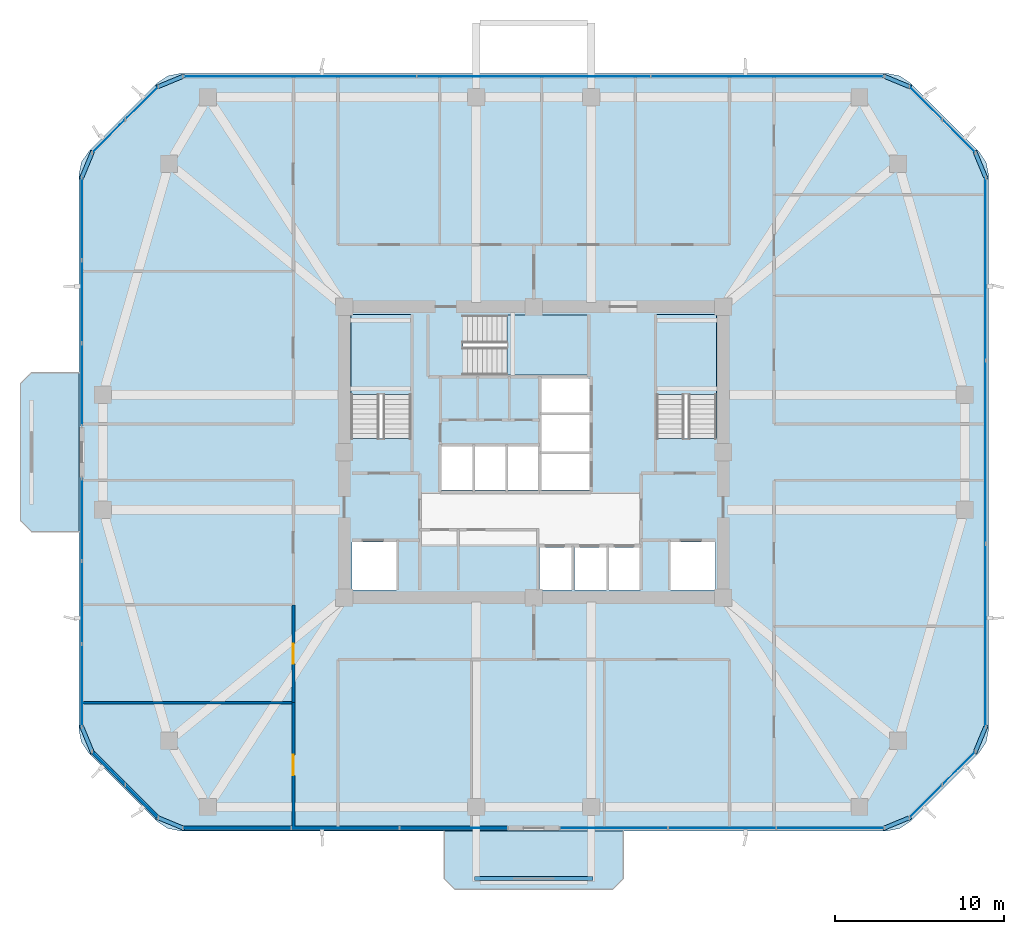
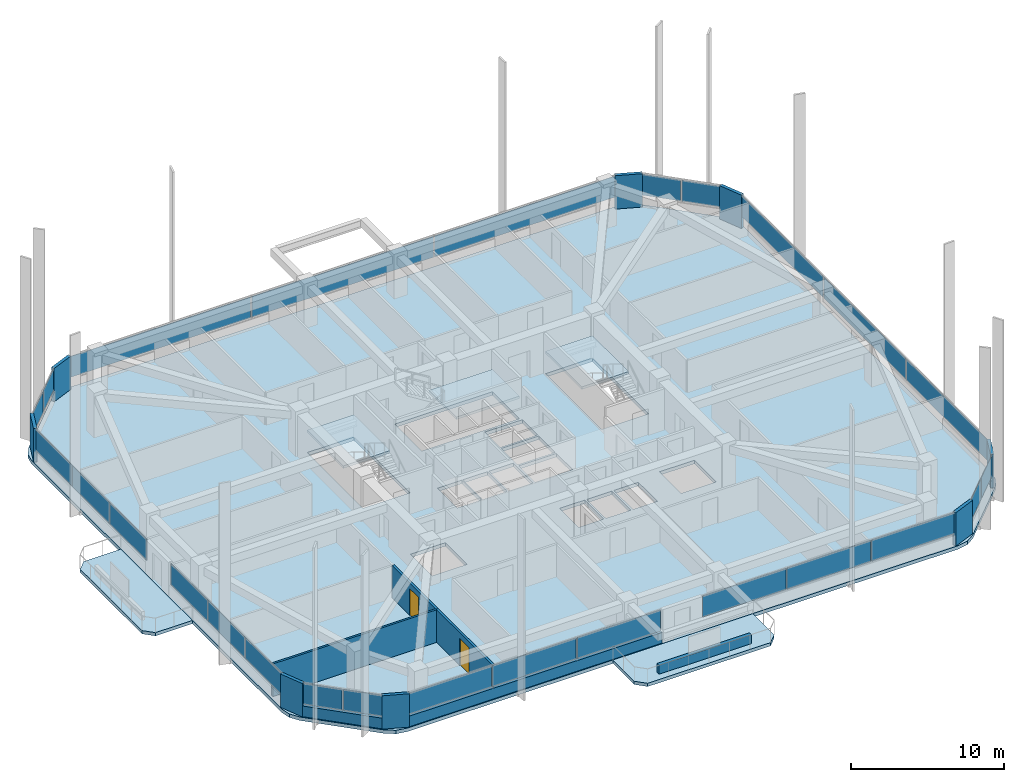
# One storey, part 7 of 15: 34 plates, 6 slabs, 6 walls, 2 doors, 2 openings, 13 elements without a shape of their own.
"""IFC4 building model written with IfcOpenShell, lengths in metres."""

from ifc_helpers import new_model, si_unit, derived_unit, direction, frame, frame_2d, origin, origin_2d, place, context, subcontext, project, spatial, polyline, rectangle, outline, extrude, material, layer, layer_set, type_object, element, fill, aggregate, save


model = new_model("IFC4")

# Units and contexts
model_context = context("Model", 3, precision=1e-05, world=origin(), true_north=direction((0.0, 1.0)))
body_context = subcontext(model_context, "Body", "Model", "MODEL_VIEW")
ifc_project = project(units=[si_unit("LENGTHUNIT", "METRE"), si_unit("AREAUNIT", "SQUARE_METRE"), si_unit("VOLUMEUNIT", "CUBIC_METRE"), si_unit("PLANEANGLEUNIT", "RADIAN"), si_unit("MASSUNIT", "GRAM", prefix="KILO"), derived_unit("THERMALTRANSMITTANCEUNIT", [(si_unit("POWERUNIT", "WATT"), 1), (si_unit("LENGTHUNIT", "METRE"), -2), (si_unit("THERMODYNAMICTEMPERATUREUNIT", "KELVIN"), -1)])], contexts=[model_context])

# Site, building, storey
site_placement = place(None, origin())
site = spatial("IfcSite", under=ifc_project, at=site_placement, CompositionType="ELEMENT")
building_placement = place(site_placement, origin())
building = spatial("IfcBuilding", under=site, at=building_placement, Name="Koralith Skygarden Medical Center", CompositionType="ELEMENT")
storey_placement = place(building_placement, frame((0.0, 0.0, 84.780029296875)))
storey = spatial("IfcBuildingStorey", under=building, at=storey_placement, Name="L21", CompositionType="ELEMENT", Elevation=84.780029296875)

# Curtain wall, plates
ifc_material_1 = material(Name="Clear Laminated Glass", Category="glass")
curtain_wall_type = type_object("IfcCurtainWallType", Name="CW-3 Zone 2 Faceted Solar Curtain Wall", PredefinedType="NOTDEFINED", material=ifc_material_1)
curtain_wall_1_placement = place(storey_placement, origin())
curtain_wall_1 = element("IfcCurtainWall", 1, at=curtain_wall_1_placement, inside=storey, type_object=curtain_wall_type, Name="Curtain Wall CW-L21-S-L", PredefinedType="NOTDEFINED")
ifc_layer_1 = layer(ifc_material_1, 0.033935546875)
ifc_layer_set_1 = layer_set([ifc_layer_1], Name="Clear Laminated Glass")
plate_type_1 = type_object("IfcPlateType", Name="CW-3 Hurricane Laminated IGU Panel 34", PredefinedType="CURTAIN_PANEL", material=ifc_layer_set_1)
plate_1_placement = place(storey_placement, frame((19.4560546875, 3.679931640625, 0.919921875), z_axis=(0.0, 0.0, 1.0), x_axis=(1.0, 0.0, 0.0)))
plate_1 = element("IfcPlate", 2, at=plate_1_placement, type_object=plate_type_1, Name="CW-L21-S-L Glazed Panel 1", PredefinedType="CURTAIN_PANEL", context=body_context, shape_type="SweptSolid", body=[
    extrude(rectangle(XDim=6.31103515625, YDim=0.033935546875, at=origin_2d()), origin(), (0.0, 0.0, 1.0), 1.679931640625),
])
plate_2_placement = place(storey_placement, frame((25.85693359375, 3.679931640625, 0.919921875), z_axis=(0.0, 0.0, 1.0), x_axis=(1.0, 0.0, 0.0)))
plate_2 = element("IfcPlate", 3, at=plate_2_placement, type_object=plate_type_1, Name="CW-L21-S-L Glazed Panel 2", PredefinedType="CURTAIN_PANEL", context=body_context, shape_type="SweptSolid", body=[
    extrude(rectangle(XDim=6.31103515625, YDim=0.033935546875, at=origin_2d()), origin(), (0.0, 0.0, 1.0), 1.679931640625),
])
plate_3_placement = place(storey_placement, frame((32.258056640625, 3.679931640625, 0.919921875), z_axis=(0.0, 0.0, 1.0), x_axis=(1.0, 0.0, 0.0)))
plate_3 = element("IfcPlate", 4, at=plate_3_placement, type_object=plate_type_1, Name="CW-L21-S-L Glazed Panel 3", PredefinedType="CURTAIN_PANEL", context=body_context, shape_type="SweptSolid", body=[
    extrude(rectangle(XDim=6.31103515625, YDim=0.033935546875, at=origin_2d()), origin(), (0.0, 0.0, 1.0), 1.679931640625),
])
aggregate(curtain_wall_1, [plate_1, plate_2, plate_3])

curtain_wall_2_placement = place(storey_placement, origin())
curtain_wall_2 = element("IfcCurtainWall", 5, at=curtain_wall_2_placement, inside=storey, type_object=curtain_wall_type, Name="Curtain Wall CW-L21-S-R", PredefinedType="NOTDEFINED")
plate_4_placement = place(storey_placement, frame((41.739990234375, 3.679931640625, 0.919921875), z_axis=(0.0, 0.0, 1.0), x_axis=(1.0, 0.0, 0.0)))
plate_4 = element("IfcPlate", 6, at=plate_4_placement, type_object=plate_type_1, Name="CW-L21-S-R Glazed Panel 1", PredefinedType="CURTAIN_PANEL", context=body_context, shape_type="SweptSolid", body=[
    extrude(rectangle(XDim=6.31201171875, YDim=0.033935546875, at=origin_2d()), origin(), (0.0, 0.0, 1.0), 1.679931640625),
])
plate_5_placement = place(storey_placement, frame((48.14208984375, 3.679931640625, 0.919921875), z_axis=(0.0, 0.0, 1.0), x_axis=(1.0, 0.0, 0.0)))
plate_5 = element("IfcPlate", 7, at=plate_5_placement, type_object=plate_type_1, Name="CW-L21-S-R Glazed Panel 2", PredefinedType="CURTAIN_PANEL", context=body_context, shape_type="SweptSolid", body=[
    extrude(rectangle(XDim=6.31201171875, YDim=0.033935546875, at=origin_2d()), origin(), (0.0, 0.0, 1.0), 1.679931640625),
])
plate_6_placement = place(storey_placement, frame((54.5439453125, 3.679931640625, 0.919921875), z_axis=(0.0, 0.0, 1.0), x_axis=(1.0, 0.0, 0.0)))
plate_6 = element("IfcPlate", 8, at=plate_6_placement, type_object=plate_type_1, Name="CW-L21-S-R Glazed Panel 3", PredefinedType="CURTAIN_PANEL", context=body_context, shape_type="SweptSolid", body=[
    extrude(rectangle(XDim=6.31201171875, YDim=0.033935546875, at=origin_2d()), origin(), (0.0, 0.0, 1.0), 1.679931640625),
])
aggregate(curtain_wall_2, [plate_4, plate_5, plate_6])

curtain_wall_3_placement = place(storey_placement, origin())
curtain_wall_3 = element("IfcCurtainWall", 9, at=curtain_wall_3_placement, inside=storey, type_object=curtain_wall_type, Name="Curtain Wall CW-L21-SE", PredefinedType="NOTDEFINED")
plate_7_placement = place(storey_placement, frame((60.177001953125, 5.261962890625, 0.919921875), z_axis=(0.0, 0.0, 1.0), x_axis=(0.707106781187, 0.707106781187, 0.0)))
plate_7 = element("IfcPlate", 10, at=plate_7_placement, type_object=plate_type_1, Name="CW-L21-SE Glazed Panel 1", PredefinedType="CURTAIN_PANEL", context=body_context, shape_type="SweptSolid", body=[
    extrude(rectangle(XDim=2.68408203125, YDim=0.033935546875, at=origin_2d()), origin(), (0.0, 0.0, 1.0), 1.679931640625),
])
plate_8_placement = place(storey_placement, frame((62.137939453125, 7.222900390625, 0.919921875), z_axis=(0.0, 0.0, 1.0), x_axis=(0.707106781187, 0.707106781187, 0.0)))
plate_8 = element("IfcPlate", 11, at=plate_8_placement, type_object=plate_type_1, Name="CW-L21-SE Glazed Panel 2", PredefinedType="CURTAIN_PANEL", context=body_context, shape_type="SweptSolid", body=[
    extrude(rectangle(XDim=2.68408203125, YDim=0.033935546875, at=origin_2d()), origin(), (0.0, 0.0, 1.0), 1.679931640625),
])
aggregate(curtain_wall_3, [plate_7, plate_8])

curtain_wall_4_placement = place(storey_placement, origin())
curtain_wall_4 = element("IfcCurtainWall", 12, at=curtain_wall_4_placement, inside=storey, type_object=curtain_wall_type, Name="Curtain Wall CW-L21-E", PredefinedType="NOTDEFINED")
plate_9_placement = place(storey_placement, frame((63.719970703125, 15.070068359375, 0.919921875), z_axis=(0.0, 0.0, 1.0), x_axis=(0.0, 1.0, 0.0)))
plate_9 = element("IfcPlate", 13, at=plate_9_placement, type_object=plate_type_1, Name="CW-L21-E Glazed Panel 1", PredefinedType="CURTAIN_PANEL", context=body_context, shape_type="SweptSolid", body=[
    extrude(rectangle(XDim=10.739990234375, YDim=0.033935546875, at=origin_2d()), origin(), (0.0, 0.0, 1.0), 1.679931640625),
])
plate_10_placement = place(storey_placement, frame((63.719970703125, 25.89990234375, 0.919921875), z_axis=(0.0, 0.0, 1.0), x_axis=(0.0, 1.0, 0.0)))
plate_10 = element("IfcPlate", 14, at=plate_10_placement, type_object=plate_type_1, Name="CW-L21-E Glazed Panel 2", PredefinedType="CURTAIN_PANEL", context=body_context, shape_type="SweptSolid", body=[
    extrude(rectangle(XDim=10.739990234375, YDim=0.033935546875, at=origin_2d()), origin(), (0.0, 0.0, 1.0), 1.679931640625),
])
plate_11_placement = place(storey_placement, frame((63.719970703125, 36.72998046875, 0.919921875), z_axis=(0.0, 0.0, 1.0), x_axis=(0.0, 1.0, 0.0)))
plate_11 = element("IfcPlate", 15, at=plate_11_placement, type_object=plate_type_1, Name="CW-L21-E Glazed Panel 3", PredefinedType="CURTAIN_PANEL", context=body_context, shape_type="SweptSolid", body=[
    extrude(rectangle(XDim=10.739990234375, YDim=0.033935546875, at=origin_2d()), origin(), (0.0, 0.0, 1.0), 1.679931640625),
])
aggregate(curtain_wall_4, [plate_9, plate_10, plate_11])

curtain_wall_5_placement = place(storey_placement, origin())
curtain_wall_5 = element("IfcCurtainWall", 16, at=curtain_wall_5_placement, inside=storey, type_object=curtain_wall_type, Name="Curtain Wall CW-L21-NE", PredefinedType="NOTDEFINED")
plate_12_placement = place(storey_placement, frame((62.137939453125, 44.576904296875, 0.919921875), z_axis=(0.0, 0.0, 1.0), x_axis=(-0.707106781187, 0.707106781187, 0.0)))
plate_12 = element("IfcPlate", 17, at=plate_12_placement, type_object=plate_type_1, Name="CW-L21-NE Glazed Panel 1", PredefinedType="CURTAIN_PANEL", context=body_context, shape_type="SweptSolid", body=[
    extrude(rectangle(XDim=2.68408203125, YDim=0.033935546875, at=origin_2d()), origin(), (0.0, 0.0, 1.0), 1.679931640625),
])
plate_13_placement = place(storey_placement, frame((60.177001953125, 46.5380859375, 0.919921875), z_axis=(0.0, 0.0, 1.0), x_axis=(-0.707106781187, 0.707106781187, 0.0)))
plate_13 = element("IfcPlate", 18, at=plate_13_placement, type_object=plate_type_1, Name="CW-L21-NE Glazed Panel 2", PredefinedType="CURTAIN_PANEL", context=body_context, shape_type="SweptSolid", body=[
    extrude(rectangle(XDim=2.68408203125, YDim=0.033935546875, at=origin_2d()), origin(), (0.0, 0.0, 1.0), 1.679931640625),
])
aggregate(curtain_wall_5, [plate_12, plate_13])

curtain_wall_6_placement = place(storey_placement, origin())
curtain_wall_6 = element("IfcCurtainWall", 19, at=curtain_wall_6_placement, inside=storey, type_object=curtain_wall_type, Name="Curtain Wall CW-L21-N", PredefinedType="NOTDEFINED")
plate_14_placement = place(storey_placement, frame((50.830078125, 48.1201171875, 0.919921875), z_axis=(0.0, 0.0, 1.0), x_axis=(-1.0, 0.0, 0.0)))
plate_14 = element("IfcPlate", 20, at=plate_14_placement, type_object=plate_type_1, Name="CW-L21-N Glazed Panel 1", PredefinedType="CURTAIN_PANEL", context=body_context, shape_type="SweptSolid", body=[
    extrude(rectangle(XDim=13.739990234375, YDim=0.033935546875, at=origin_2d()), origin(), (0.0, 0.0, 1.0), 1.679931640625),
])
plate_15_placement = place(storey_placement, frame((37.0, 48.1201171875, 0.919921875), z_axis=(0.0, 0.0, 1.0), x_axis=(-1.0, 0.0, 0.0)))
plate_15 = element("IfcPlate", 21, at=plate_15_placement, type_object=plate_type_1, Name="CW-L21-N Glazed Panel 2", PredefinedType="CURTAIN_PANEL", context=body_context, shape_type="SweptSolid", body=[
    extrude(rectangle(XDim=13.739990234375, YDim=0.033935546875, at=origin_2d()), origin(), (0.0, 0.0, 1.0), 1.679931640625),
])
plate_16_placement = place(storey_placement, frame((23.169921875, 48.1201171875, 0.919921875), z_axis=(0.0, 0.0, 1.0), x_axis=(-1.0, 0.0, 0.0)))
plate_16 = element("IfcPlate", 22, at=plate_16_placement, type_object=plate_type_1, Name="CW-L21-N Glazed Panel 3", PredefinedType="CURTAIN_PANEL", context=body_context, shape_type="SweptSolid", body=[
    extrude(rectangle(XDim=13.739990234375, YDim=0.033935546875, at=origin_2d()), origin(), (0.0, 0.0, 1.0), 1.679931640625),
])
aggregate(curtain_wall_6, [plate_14, plate_15, plate_16])

curtain_wall_7_placement = place(storey_placement, origin())
curtain_wall_7 = element("IfcCurtainWall", 23, at=curtain_wall_7_placement, inside=storey, type_object=curtain_wall_type, Name="Curtain Wall CW-L21-NW", PredefinedType="NOTDEFINED")
plate_17_placement = place(storey_placement, frame((13.822998046875, 46.5380859375, 0.919921875), z_axis=(0.0, 0.0, 1.0), x_axis=(-0.707106781187, -0.707106781187, 0.0)))
plate_17 = element("IfcPlate", 24, at=plate_17_placement, type_object=plate_type_1, Name="CW-L21-NW Glazed Panel 1", PredefinedType="CURTAIN_PANEL", context=body_context, shape_type="SweptSolid", body=[
    extrude(rectangle(XDim=2.68408203125, YDim=0.033935546875, at=origin_2d()), origin(), (0.0, 0.0, 1.0), 1.679931640625),
])
plate_18_placement = place(storey_placement, frame((11.862060546875, 44.576904296875, 0.919921875), z_axis=(0.0, 0.0, 1.0), x_axis=(-0.707106781187, -0.707106781187, 0.0)))
plate_18 = element("IfcPlate", 25, at=plate_18_placement, type_object=plate_type_1, Name="CW-L21-NW Glazed Panel 2", PredefinedType="CURTAIN_PANEL", context=body_context, shape_type="SweptSolid", body=[
    extrude(rectangle(XDim=2.68408203125, YDim=0.033935546875, at=origin_2d()), origin(), (0.0, 0.0, 1.0), 1.679931640625),
])
aggregate(curtain_wall_7, [plate_17, plate_18])

curtain_wall_8_placement = place(storey_placement, origin())
curtain_wall_8 = element("IfcCurtainWall", 26, at=curtain_wall_8_placement, inside=storey, type_object=curtain_wall_type, Name="Curtain Wall CW-L21-W-L", PredefinedType="NOTDEFINED")
plate_19_placement = place(storey_placement, frame((10.280029296875, 39.694091796875, 0.919921875), z_axis=(0.0, 0.0, 1.0), x_axis=(0.0, -1.0, 0.0)))
plate_19 = element("IfcPlate", 27, at=plate_19_placement, type_object=plate_type_1, Name="CW-L21-W-L Glazed Panel 1", PredefinedType="CURTAIN_PANEL", context=body_context, shape_type="SweptSolid", body=[
    extrude(rectangle(XDim=4.81103515625, YDim=0.033935546875, at=origin_2d()), origin(), (0.0, 0.0, 1.0), 1.679931640625),
])
plate_20_placement = place(storey_placement, frame((10.280029296875, 34.79296875, 0.919921875), z_axis=(0.0, 0.0, 1.0), x_axis=(0.0, -1.0, 0.0)))
plate_20 = element("IfcPlate", 28, at=plate_20_placement, type_object=plate_type_1, Name="CW-L21-W-L Glazed Panel 2", PredefinedType="CURTAIN_PANEL", context=body_context, shape_type="SweptSolid", body=[
    extrude(rectangle(XDim=4.81103515625, YDim=0.033935546875, at=origin_2d()), origin(), (0.0, 0.0, 1.0), 1.679931640625),
])
plate_21_placement = place(storey_placement, frame((10.280029296875, 29.89208984375, 0.919921875), z_axis=(0.0, 0.0, 1.0), x_axis=(0.0, -1.0, 0.0)))
plate_21 = element("IfcPlate", 29, at=plate_21_placement, type_object=plate_type_1, Name="CW-L21-W-L Glazed Panel 3", PredefinedType="CURTAIN_PANEL", context=body_context, shape_type="SweptSolid", body=[
    extrude(rectangle(XDim=4.81103515625, YDim=0.033935546875, at=origin_2d()), origin(), (0.0, 0.0, 1.0), 1.679931640625),
])
aggregate(curtain_wall_8, [plate_19, plate_20, plate_21])

curtain_wall_9_placement = place(storey_placement, origin())
curtain_wall_9 = element("IfcCurtainWall", 30, at=curtain_wall_9_placement, inside=storey, type_object=curtain_wall_type, Name="Curtain Wall CW-L21-W-R", PredefinedType="NOTDEFINED")
plate_22_placement = place(storey_placement, frame((10.280029296875, 21.909912109375, 0.919921875), z_axis=(0.0, 0.0, 1.0), x_axis=(0.0, -1.0, 0.0)))
plate_22 = element("IfcPlate", 31, at=plate_22_placement, type_object=plate_type_1, Name="CW-L21-W-R Glazed Panel 1", PredefinedType="CURTAIN_PANEL", context=body_context, shape_type="SweptSolid", body=[
    extrude(rectangle(XDim=4.81201171875, YDim=0.033935546875, at=origin_2d()), origin(), (0.0, 0.0, 1.0), 1.679931640625),
])
plate_23_placement = place(storey_placement, frame((10.280029296875, 17.008056640625, 0.919921875), z_axis=(0.0, 0.0, 1.0), x_axis=(0.0, -1.0, 0.0)))
plate_23 = element("IfcPlate", 32, at=plate_23_placement, type_object=plate_type_1, Name="CW-L21-W-R Glazed Panel 2", PredefinedType="CURTAIN_PANEL", context=body_context, shape_type="SweptSolid", body=[
    extrude(rectangle(XDim=4.81201171875, YDim=0.033935546875, at=origin_2d()), origin(), (0.0, 0.0, 1.0), 1.679931640625),
])
plate_24_placement = place(storey_placement, frame((10.280029296875, 12.10595703125, 0.919921875), z_axis=(0.0, 0.0, 1.0), x_axis=(0.0, -1.0, 0.0)))
plate_24 = element("IfcPlate", 33, at=plate_24_placement, type_object=plate_type_1, Name="CW-L21-W-R Glazed Panel 3", PredefinedType="CURTAIN_PANEL", context=body_context, shape_type="SweptSolid", body=[
    extrude(rectangle(XDim=4.81201171875, YDim=0.033935546875, at=origin_2d()), origin(), (0.0, 0.0, 1.0), 1.679931640625),
])
aggregate(curtain_wall_9, [plate_22, plate_23, plate_24])

curtain_wall_10_placement = place(storey_placement, origin())
curtain_wall_10 = element("IfcCurtainWall", 34, at=curtain_wall_10_placement, inside=storey, type_object=curtain_wall_type, Name="Curtain Wall CW-L21-SW", PredefinedType="NOTDEFINED")
plate_25_placement = place(storey_placement, frame((11.862060546875, 7.222900390625, 0.919921875), z_axis=(0.0, 0.0, 1.0), x_axis=(0.707106781187, -0.707106781187, 0.0)))
plate_25 = element("IfcPlate", 35, at=plate_25_placement, type_object=plate_type_1, Name="CW-L21-SW Glazed Panel 1", PredefinedType="CURTAIN_PANEL", context=body_context, shape_type="SweptSolid", body=[
    extrude(rectangle(XDim=2.68408203125, YDim=0.033935546875, at=origin_2d()), origin(), (0.0, 0.0, 1.0), 1.679931640625),
])
plate_26_placement = place(storey_placement, frame((13.822998046875, 5.261962890625, 0.919921875), z_axis=(0.0, 0.0, 1.0), x_axis=(0.707106781187, -0.707106781187, 0.0)))
plate_26 = element("IfcPlate", 36, at=plate_26_placement, type_object=plate_type_1, Name="CW-L21-SW Glazed Panel 2", PredefinedType="CURTAIN_PANEL", context=body_context, shape_type="SweptSolid", body=[
    extrude(rectangle(XDim=2.68408203125, YDim=0.033935546875, at=origin_2d()), origin(), (0.0, 0.0, 1.0), 1.679931640625),
])
aggregate(curtain_wall_10, [plate_25, plate_26])

# Slabs
ifc_material_2 = material(Name="Concrete C45/55", Category="concrete")
ifc_layer_2 = layer(ifc_material_2, 0.260009765625)
ifc_layer_set_2 = layer_set([ifc_layer_2], Name="Concrete C45/55")
slab_type_1 = type_object("IfcSlabType", Name="Cantilevered Planted Balcony Slab 260", PredefinedType="FLOOR", material=ifc_layer_set_2)
slab_1_placement = place(storey_placement, frame((0.0, 0.0, -0.260009765625)))
element("IfcSlab", 37, at=slab_1_placement, inside=storey, type_object=slab_type_1, Name="L21 S Planted Sky-Garden Balcony Slab", PredefinedType="FLOOR", context=body_context, shape_type="SweptSolid", body=[
    extrude(outline(polyline([(32.35009765625, 0.050048828125), (41.64990234375, 0.050048828125), (42.300048828125, 0.699951171875), (42.300048828125, 3.5), (31.699951171875, 3.5), (31.699951171875, 0.699951171875), (32.35009765625, 0.050048828125)])), origin(), (0.0, 0.0, 1.0), 0.260009765625),
])
slab_2_placement = place(storey_placement, frame((0.0, 0.0, -0.260009765625)))
element("IfcSlab", 38, at=slab_2_placement, inside=storey, type_object=slab_type_1, Name="L21 W Planted Sky-Garden Balcony Slab", PredefinedType="FLOOR", context=body_context, shape_type="SweptSolid", body=[
    extrude(outline(polyline([(7.300048828125, 21.199951171875), (10.10009765625, 21.199951171875), (10.10009765625, 30.60009765625), (7.300048828125, 30.60009765625), (6.64990234375, 29.949951171875), (6.64990234375, 21.85009765625), (7.300048828125, 21.199951171875)])), origin(), (0.0, 0.0, 1.0), 0.260009765625),
])

# Stair, slab
stair_type = type_object("IfcStairType", Name="Core Exit Dogleg Concrete Stair", PredefinedType="HALF_TURN_STAIR", material=ifc_material_2)
stair_1_placement = place(storey_placement, origin())
stair_1 = element("IfcStair", 39, at=stair_1_placement, inside=storey, type_object=stair_type, Name="L21 Smokeproof Exit Stair ST1", PredefinedType="HALF_TURN_STAIR")
ifc_layer_3 = layer(ifc_material_2, 0.199951171875)
ifc_layer_set_3 = layer_set([ifc_layer_3], Name="Concrete C45/55")
slab_type_2 = type_object("IfcSlabType", Name="Core Exit Concrete Stair Landing 200", PredefinedType="LANDING", material=ifc_layer_set_3)
slab_3_placement = place(storey_placement, frame((0.0, 0.0, 1.599853515625)))
slab_3 = element("IfcSlab", 40, at=slab_3_placement, type_object=slab_type_2, Name="ST1 landing 1", PredefinedType="LANDING", context=body_context, shape_type="SweptSolid", body=[
    extrude(outline(polyline([(29.75, 29.31005859375), (29.75, 34.050048828125), (26.199951171875, 34.050048828125), (26.199951171875, 29.31005859375), (29.75, 29.31005859375)])), origin(), (0.0, 0.0, 1.0), 0.2001953125),
])
aggregate(stair_1, [slab_3])

stair_2_placement = place(storey_placement, origin())
stair_2 = element("IfcStair", 41, at=stair_2_placement, inside=storey, type_object=stair_type, Name="L21 Smokeproof Exit Stair ST2", PredefinedType="HALF_TURN_STAIR")
slab_4_placement = place(storey_placement, frame((0.0, 0.0, 1.599853515625)))
slab_4 = element("IfcSlab", 42, at=slab_4_placement, type_object=slab_type_2, Name="ST2 landing 1", PredefinedType="LANDING", context=body_context, shape_type="SweptSolid", body=[
    extrude(outline(polyline([(47.800048828125, 29.31005859375), (47.800048828125, 34.050048828125), (44.25, 34.050048828125), (44.25, 29.31005859375), (47.800048828125, 29.31005859375)])), origin(), (0.0, 0.0, 1.0), 0.2001953125),
])
aggregate(stair_2, [slab_4])

stair_3_placement = place(storey_placement, origin())
stair_3 = element("IfcStair", 43, at=stair_3_placement, inside=storey, type_object=stair_type, Name="L21 Smokeproof Exit Stair ST3", PredefinedType="HALF_TURN_STAIR")
slab_5_placement = place(storey_placement, frame((0.0, 0.0, 1.599853515625)))
slab_5 = element("IfcSlab", 44, at=slab_5_placement, type_object=slab_type_2, Name="ST3 landing 1", PredefinedType="LANDING", context=body_context, shape_type="SweptSolid", body=[
    extrude(outline(polyline([(35.409912109375, 30.449951171875), (40.199951171875, 30.449951171875), (40.199951171875, 34.0), (35.409912109375, 34.0), (35.409912109375, 30.449951171875)])), origin(), (0.0, 0.0, 1.0), 0.2001953125),
])
aggregate(stair_3, [slab_5])

# Slab
ifc_layer_4 = layer(ifc_material_2, 0.280029296875)
ifc_layer_set_4 = layer_set([ifc_layer_4], Name="Concrete C45/55")
slab_type_3 = type_object("IfcSlabType", Name="Post-Tensioned Ward Floor Plate 280", PredefinedType="FLOOR", material=ifc_layer_set_4)
slab_6_placement = place(storey_placement, frame((0.0, 0.0, -0.280029296875)))
element("IfcSlab", 45, at=slab_6_placement, inside=storey, type_object=slab_type_3, Name="Level L21 Structural Floor Slab", PredefinedType="FLOOR", context=body_context, shape_type="SweptSolid", body=[
    extrude(outline(polyline([(14.714111328125, 4.0859375), (15.363037109375, 3.652099609375), (16.1279296875, 3.5), (57.8720703125, 3.5), (58.636962890625, 3.652099609375), (59.285888671875, 4.0859375), (63.31396484375, 8.114013671875), (63.748046875, 8.762939453125), (63.89990234375, 9.528076171875), (63.89990234375, 42.27197265625), (63.748046875, 43.037109375), (63.31396484375, 43.68603515625), (59.285888671875, 47.714111328125), (58.636962890625, 48.14794921875), (57.8720703125, 48.300048828125), (16.1279296875, 48.300048828125), (15.363037109375, 48.14794921875), (14.714111328125, 47.714111328125), (10.68603515625, 43.68603515625), (10.251953125, 43.037109375), (10.10009765625, 42.27197265625), (10.10009765625, 9.528076171875), (10.251953125, 8.762939453125), (10.68603515625, 8.114013671875), (14.714111328125, 4.0859375)]), holes=[polyline([(26.199951171875, 26.705078125), (29.75, 26.705078125), (29.75, 34.050048828125), (26.199951171875, 34.050048828125), (26.199951171875, 26.705078125)]), polyline([(44.25, 26.705078125), (47.800048828125, 26.705078125), (47.800048828125, 34.050048828125), (44.25, 34.050048828125), (44.25, 26.705078125)]), polyline([(32.804931640625, 30.449951171875), (40.199951171875, 30.449951171875), (40.199951171875, 34.0), (32.804931640625, 34.0), (32.804931640625, 30.449951171875)]), polyline([(26.25, 17.75), (28.89990234375, 17.75), (28.89990234375, 20.60009765625), (26.25, 20.60009765625), (26.25, 17.75)]), polyline([(45.10009765625, 17.75), (47.75, 17.75), (47.75, 20.60009765625), (45.10009765625, 20.60009765625), (45.10009765625, 17.75)]), polyline([(37.35009765625, 17.75), (39.25, 17.75), (39.25, 20.25), (37.35009765625, 20.25), (37.35009765625, 17.75)]), polyline([(39.39990234375, 17.75), (41.300048828125, 17.75), (41.300048828125, 20.25), (39.39990234375, 20.25), (39.39990234375, 17.75)]), polyline([(41.449951171875, 17.75), (43.300048828125, 17.75), (43.300048828125, 20.25), (41.449951171875, 20.25), (41.449951171875, 17.75)]), polyline([(31.550048828125, 23.64990234375), (33.39990234375, 23.64990234375), (33.39990234375, 26.25), (31.550048828125, 26.25), (31.550048828125, 23.64990234375)]), polyline([(33.5, 23.64990234375), (35.35009765625, 23.64990234375), (35.35009765625, 26.25), (33.5, 26.25), (33.5, 23.64990234375)]), polyline([(35.449951171875, 23.64990234375), (37.300048828125, 23.64990234375), (37.300048828125, 26.25), (35.449951171875, 26.25), (35.449951171875, 23.64990234375)]), polyline([(37.449951171875, 23.64990234375), (40.300048828125, 23.64990234375), (40.300048828125, 25.800048828125), (37.449951171875, 25.800048828125), (37.449951171875, 23.64990234375)]), polyline([(37.449951171875, 25.949951171875), (40.300048828125, 25.949951171875), (40.300048828125, 28.10009765625), (37.449951171875, 28.10009765625), (37.449951171875, 25.949951171875)]), polyline([(37.449951171875, 28.25), (40.300048828125, 28.25), (40.300048828125, 30.25), (37.449951171875, 30.25), (37.449951171875, 28.25)])]), origin(), (0.0, 0.0, 1.0), 0.280029296875),
])

# Plates
ifc_material_3 = material(Name="Warm Oolitic Limestone Cladding", Category="masonry")
ifc_layer_5 = layer(ifc_material_3, 0.239990234375)
ifc_layer_set_5 = layer_set([ifc_layer_5], Name="Warm Oolitic Limestone Cladding")
plate_type_2 = type_object("IfcPlateType", Name="Rounded-Corner Oolitic Limestone Cladding Panel 240", PredefinedType="USERDEFINED", material=ifc_layer_set_5)
for number, where, z_axis, x_axis, name in (
    (46, (58.470947265625, 3.98095703125, 0.0), (0.0, 0.0, 1.0), (0.92388487569, 0.382670532536, 0.0), "L21 Rounded-Corner Limestone Pier 1"),
    (47, (63.4189453125, 8.929931640625, 0.0), (0.0, 0.0, 1.0), (0.382670532536, 0.92388487569, 0.0), "L21 Rounded-Corner Limestone Pier 2"),
    (48, (63.4189453125, 42.8701171875, 0.0), (0.0, 0.0, 1.0), (-0.382670532536, 0.92388487569, 0.0), "L21 Rounded-Corner Limestone Pier 3"),
    (49, (58.470947265625, 47.819091796875, 0.0), (0.0, 0.0, 1.0), (-0.92388487569, 0.382670532536, 0.0), "L21 Rounded-Corner Limestone Pier 4"),
    (50, (15.529052734375, 47.819091796875, 0.0), (0.0, 0.0, 1.0), (-0.92388487569, -0.382670532536, 0.0), "L21 Rounded-Corner Limestone Pier 5"),
    (51, (10.5810546875, 42.8701171875, 0.0), (0.0, 0.0, 1.0), (-0.382670532536, -0.92388487569, 0.0), "L21 Rounded-Corner Limestone Pier 6"),
    (52, (10.5810546875, 8.929931640625, 0.0), (0.0, 0.0, 1.0), (0.382670532536, -0.92388487569, 0.0), "L21 Rounded-Corner Limestone Pier 7"),
    (53, (15.529052734375, 3.98095703125, 0.0), (0.0, 0.0, 1.0), (0.92388487569, -0.382670532536, 0.0), "L21 Rounded-Corner Limestone Pier 8"),
):
    element("IfcPlate", number, at=place(storey_placement, frame(where, z_axis=z_axis, x_axis=x_axis)), inside=storey, type_object=plate_type_2, Name=name, ObjectType="LIMESTONE CLADDING", PredefinedType="USERDEFINED", context=body_context, shape_type="SweptSolid", body=[
        extrude(rectangle(XDim=1.81103515625, YDim=0.239990234375, at=origin_2d()), origin(), (0.0, 0.0, 1.0), 2.669921875),
    ])

# Wall
ifc_material_4 = material(Name="Gypsum Board Partition")
ifc_layer_6 = layer(ifc_material_4, 0.14990234375)
ifc_layer_set_6 = layer_set([ifc_layer_6], Name="Gypsum Board Partition")
wall_type_1 = type_object("IfcWallType", Name="Clinical Acoustic Partition 150", PredefinedType="PARTITIONING", material=ifc_layer_set_6)
wall_1_placement = place(storey_placement, frame((22.7900390625, 11.093994140625, 0.0), z_axis=(0.0, 0.0, 1.0), x_axis=(-1.0, 0.0, 0.0)))
element("IfcWall", 54, at=wall_1_placement, inside=storey, type_object=wall_type_1, Name="L21 Clinical Acoustic Partition 150 W-PART-L21-WS-01", PredefinedType="PARTITIONING", context=body_context, shape_type="SweptSolid", body=[
    extrude(rectangle(XDim=12.489990234375, YDim=0.14990234375, at=frame_2d((6.2451171875, 0.0))), origin(), (0.0, 0.0, 1.0), 2.60986328125),
])

# Wall, opening, door
ifc_layer_7 = layer(ifc_material_4, 0.1650390625)
ifc_layer_set_7 = layer_set([ifc_layer_7], Name="Gypsum Board Partition")
wall_type_2 = type_object("IfcWallType", Name="Clinical Corridor Partition 165", PredefinedType="PARTITIONING", material=ifc_layer_set_7)
wall_2_placement = place(storey_placement, frame((22.7900390625, 3.699951171875, 0.0), z_axis=(0.0, 0.0, 1.0), x_axis=(0.0, 1.0, 0.0)))
wall_2 = element("IfcWall", 55, at=wall_2_placement, inside=storey, type_object=wall_type_2, Name="L21 Clinical Corridor Partition 165 W-CORR-L21-WS-01", PredefinedType="PARTITIONING", context=body_context, shape_type="SweptSolid", body=[
    extrude(rectangle(XDim=7.39404296875, YDim=0.1650390625, at=frame_2d((3.697021484375, 0.0))), origin(), (0.0, 0.0, 1.0), 2.60986328125),
])
opening_1_placement = place(wall_2_placement, frame((3.096923828125, 0.0, 0.0)))
opening_1 = element("IfcOpeningElement", 56, at=opening_1_placement, cuts=wall_2, Name="Opening D-CLN", PredefinedType="OPENING", context=body_context, shape_type="SweptSolid", body=[
    extrude(rectangle(XDim=1.199951171875, YDim=2.14990234375, at=frame_2d((0.60009765625, 1.074951171875))), frame((0.0, 0.092529296875, 0.0), z_axis=(0.0, -1.0, 0.0), x_axis=(1.0, 0.0, 0.0)), (0.0, 0.0, 1.0), 0.18505859375),
])
ifc_material_5 = material(Name="Aluminium 6063-T6", Category="aluminium")
door_type = type_object("IfcDoorType", Name="Clinical Corridor Door D-CLN 1200", OperationType="NOTDEFINED", PredefinedType="DOOR", material=ifc_material_5)
door_1_placement = place(opening_1_placement, frame((1.199951171875, 0.0, 0.0), z_axis=(0.0, 0.0, 1.0), x_axis=(-1.0, 0.0, 0.0)))
door_1 = element("IfcDoor", 57, at=door_1_placement, inside=storey, type_object=door_type, Name="L21 Patient Nutrition Pantry 08 Door", OperationType="SINGLE_SWING_LEFT", OverallHeight=2.14990234375, OverallWidth=1.199951171875, PredefinedType="DOOR", context=body_context, shape_type="SweptSolid", body=[
    extrude(rectangle(XDim=1.199951171875, YDim=2.14990234375, at=frame_2d((0.60009765625, 1.074951171875))), frame((0.0, 0.02490234375, 0.0), z_axis=(0.0, -1.0, 0.0), x_axis=(1.0, 0.0, 0.0)), (0.0, 0.0, 1.0), 0.050048828125),
])
fill(opening_1, door_1)

wall_3_placement = place(storey_placement, frame((22.7900390625, 11.093994140625, 0.0), z_axis=(0.0, 0.0, 1.0), x_axis=(0.0, 1.0, 0.0)))
wall_3 = element("IfcWall", 58, at=wall_3_placement, inside=storey, type_object=wall_type_2, Name="L21 Clinical Corridor Partition 165 W-CORR-L21-WS-02", PredefinedType="PARTITIONING", context=body_context, shape_type="SweptSolid", body=[
    extrude(rectangle(XDim=5.783935546875, YDim=0.1650390625, at=frame_2d((2.89208984375, 0.0))), origin(), (0.0, 0.0, 1.0), 2.60986328125),
])
opening_2_placement = place(wall_3_placement, frame((2.2919921875, 0.0, 0.0)))
opening_2 = element("IfcOpeningElement", 59, at=opening_2_placement, cuts=wall_3, Name="Opening D-CLN", PredefinedType="OPENING", context=body_context, shape_type="SweptSolid", body=[
    extrude(rectangle(XDim=1.199951171875, YDim=2.14990234375, at=frame_2d((0.60009765625, 1.074951171875))), frame((0.0, 0.092529296875, 0.0), z_axis=(0.0, -1.0, 0.0), x_axis=(1.0, 0.0, 0.0)), (0.0, 0.0, 1.0), 0.18505859375),
])
door_2_placement = place(opening_2_placement, frame((1.199951171875, 0.0, 0.0), z_axis=(0.0, 0.0, 1.0), x_axis=(-1.0, 0.0, 0.0)))
door_2 = element("IfcDoor", 60, at=door_2_placement, inside=storey, type_object=door_type, Name="L21 Clinical Consultation Office 09 Door", OperationType="SINGLE_SWING_RIGHT", OverallHeight=2.14990234375, OverallWidth=1.199951171875, PredefinedType="DOOR", context=body_context, shape_type="SweptSolid", body=[
    extrude(rectangle(XDim=1.199951171875, YDim=2.14990234375, at=frame_2d((0.60009765625, 1.074951171875))), frame((0.0, 0.02490234375, 0.0), z_axis=(0.0, -1.0, 0.0), x_axis=(1.0, 0.0, 0.0)), (0.0, 0.0, 1.0), 0.050048828125),
])
fill(opening_2, door_2)

# Walls
ifc_layer_8 = layer(ifc_material_3, 0.239990234375)
ifc_layer_set_8 = layer_set([ifc_layer_8], Name="Warm Oolitic Limestone Cladding")
wall_type_3 = type_object("IfcWallType", Name="Limestone Spandrel Sill Backup Wall 240", PredefinedType="SOLIDWALL", material=ifc_layer_set_8)
wall_4_placement = place(storey_placement, frame((16.2548828125, 3.679931640625, 0.0), z_axis=(0.0, 0.0, 1.0), x_axis=(1.0, 0.0, 0.0)))
element("IfcWall", 61, at=wall_4_placement, inside=storey, type_object=wall_type_3, Name="L21 Sill Spandrel S-L", PredefinedType="SOLIDWALL", context=body_context, shape_type="SweptSolid", body=[
    extrude(rectangle(XDim=19.2041015625, YDim=0.239990234375, at=frame_2d((9.60205078125, 0.0))), origin(), (0.0, 0.0, 1.0), 0.849853515625),
])
wall_5_placement = place(storey_placement, frame((10.881103515625, 8.2041015625, 0.0), z_axis=(0.0, 0.0, 1.0), x_axis=(0.707084777957, -0.707128783731, 0.0)))
element("IfcWall", 62, at=wall_5_placement, inside=storey, type_object=wall_type_3, Name="L21 Sill Spandrel SW", PredefinedType="SOLIDWALL", context=body_context, shape_type="SweptSolid", body=[
    extrude(rectangle(XDim=5.5478515625, YDim=0.239990234375, at=frame_2d((2.77392578125, 0.0))), origin(), (0.0, 0.0, 1.0), 0.849853515625),
])
ifc_material_6 = material(Name="Precast concrete C40/50", Category="concrete")
ifc_layer_9 = layer(ifc_material_6, 0.25)
ifc_layer_set_9 = layer_set([ifc_layer_9], Name="Precast concrete C40/50")
wall_type_4 = type_object("IfcWallType", Name="Structural Concrete Balcony Planter Kerb 250", PredefinedType="PARAPET", material=ifc_layer_set_9)
wall_6_placement = place(storey_placement, frame((33.5, 0.699951171875, 0.0), z_axis=(0.0, 0.0, 1.0), x_axis=(1.0, 0.0, 0.0)))
element("IfcWall", 63, at=wall_6_placement, inside=storey, type_object=wall_type_4, Name="L21 S Structural Tree PLANTER Box", PredefinedType="PARAPET", context=body_context, shape_type="SweptSolid", body=[
    extrude(rectangle(XDim=7.0, YDim=0.25, at=frame_2d((3.5, 0.0))), origin(), (0.0, 0.0, 1.0), 0.719970703125),
])

save(model, "model.ifc")
